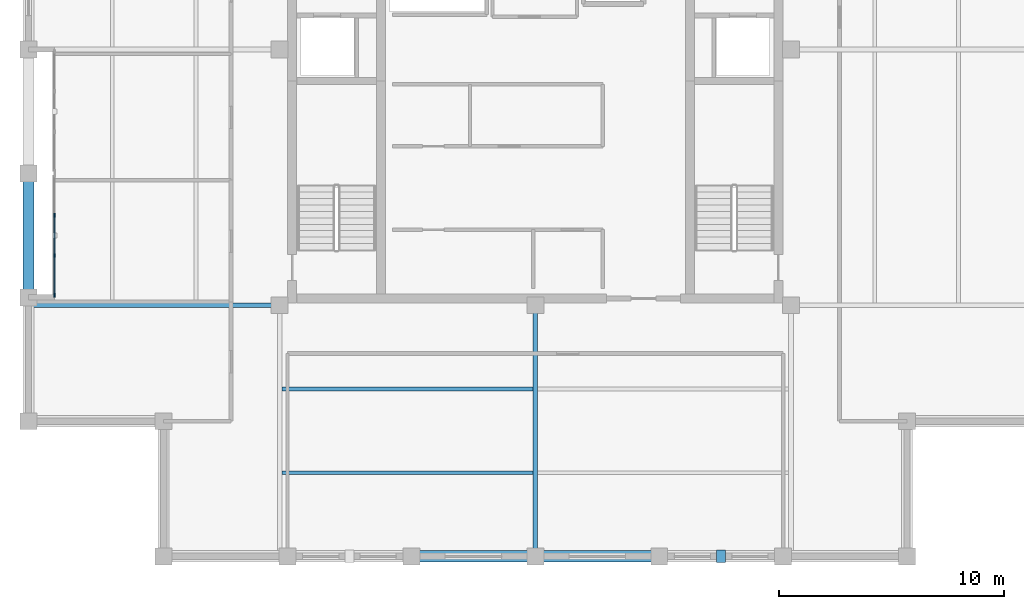
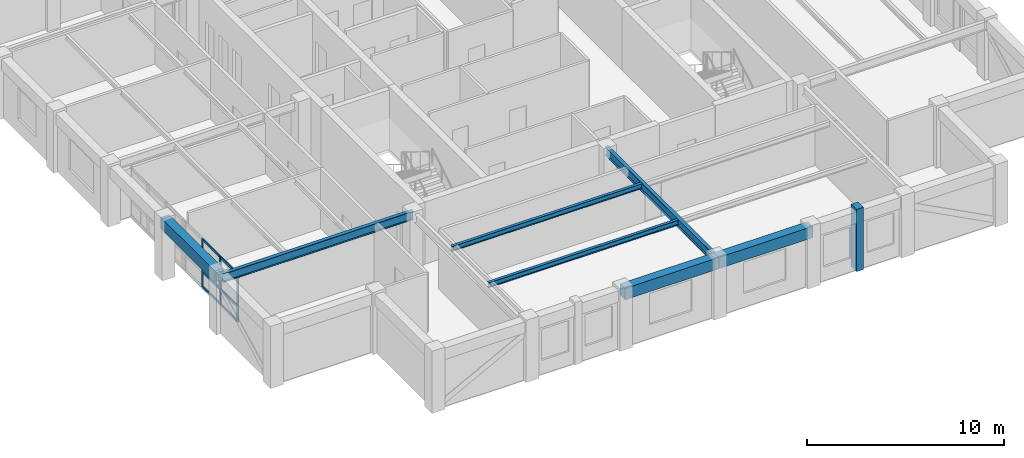
# One storey, part 2 of 10: 10 members, 7 beams, 1 element without a shape of its own.
"""IFC4 building model written with IfcOpenShell, lengths in metres."""

import ifcopenshell
import ifcopenshell.guid

model = None  # the IFC model being written
_history = None  # IfcOwnerHistory: only IFC2X3 demands one
_inside = {}  # id of a spatial element -> (the spatial element, [elements in it])
_under = {}  # id of a project, library or spatial element -> (it, [spatial elements below it])
_declared = {}  # id of a project -> (the project, [libraries it declares])
_typed = {}  # id of a type object -> (the type object, [elements of that type])
_made_of = {}  # id of a material, layer set ... -> (it, [elements and type objects made of it])


def new_model(schema):
    """Start an empty IFC model of exactly this schema.

    Asked for "IFC4X3", IfcOpenShell would pick the latest addendum, in which some entities
    have other attributes; the version numbers below select the first issue.
    IFC2X3 requires an IfcOwnerHistory on every rooted entity: one is made here for all.
    """
    global model, _history
    if schema == "IFC4X3":
        model = ifcopenshell.file(schema_version=(4, 3, 0, 0))
    else:
        model = ifcopenshell.file(schema=schema)
    _inside.clear()
    _under.clear()
    _declared.clear()
    _typed.clear()
    _made_of.clear()
    _history = None
    if model.schema == "IFC2X3":
        org = make("IfcOrganization", Name="unknown")
        user = make(
            "IfcPersonAndOrganization",
            ThePerson=make("IfcPerson", FamilyName="unknown"),
            TheOrganization=org,
        )
        app = make(
            "IfcApplication",
            ApplicationDeveloper=org,
            Version="unknown",
            ApplicationFullName="unknown",
            ApplicationIdentifier="unknown",
        )
        _history = make(
            "IfcOwnerHistory",
            OwningUser=user,
            OwningApplication=app,
            ChangeAction="ADDED",
            CreationDate=0,
        )
    return model


def make(cls, **values):
    """One entity of the class cls with the attributes given. An attribute that is None is left unset."""
    return model.create_entity(
        cls, **{name: value for name, value in values.items() if value is not None}
    )


def rooted(cls, **values):
    """An entity with a GlobalId (a new one), such as an element, a storey or a relation."""
    return make(cls, GlobalId=ifcopenshell.guid.new(), OwnerHistory=_history, **values)


def si_unit(unit_type, name, prefix=None):
    """IfcSIUnit, for example si_unit("LENGTHUNIT", "METRE", prefix="MILLI")."""
    return make("IfcSIUnit", UnitType=unit_type, Prefix=prefix, Name=name)


def assignment(units):
    """IfcUnitAssignment: the units of a project."""
    return None if units is None else make("IfcUnitAssignment", Units=units)


def point(xyz):
    """IfcCartesianPoint."""
    return None if xyz is None else make("IfcCartesianPoint", Coordinates=xyz)


def direction(xyz):
    """IfcDirection."""
    return None if xyz is None else make("IfcDirection", DirectionRatios=xyz)


def frame(location, z_axis=None, x_axis=None):
    """IfcAxis2Placement3D, a coordinate frame: its origin and axes. An axis left out is left unset."""
    return make(
        "IfcAxis2Placement3D",
        Location=point(location),
        Axis=direction(z_axis),
        RefDirection=direction(x_axis),
    )


def frame_2d(location, x_axis=None):
    """IfcAxis2Placement2D, a coordinate frame in the plane: its origin and x axis."""
    return make(
        "IfcAxis2Placement2D", Location=point(location), RefDirection=direction(x_axis)
    )


def origin():
    """The frame at (0, 0, 0) with its axes left unset."""
    return frame((0.0, 0.0, 0.0))


def origin_2d():
    """The frame at (0, 0) in the plane with its x axis left unset."""
    return frame_2d((0.0, 0.0))


def place(relative_to, where):
    """IfcLocalPlacement: puts the frame where relative to a parent placement (None: the world)."""
    return make(
        "IfcLocalPlacement", PlacementRelTo=relative_to, RelativePlacement=where
    )


def context(
    kind, dimensions, precision=None, world=None, true_north=None, identifier=None
):
    """IfcGeometricRepresentationContext, for example the 3D "Model" context."""
    return make(
        "IfcGeometricRepresentationContext",
        ContextIdentifier=identifier,
        ContextType=kind,
        CoordinateSpaceDimension=dimensions,
        Precision=precision,
        WorldCoordinateSystem=world,
        TrueNorth=true_north,
    )


def subcontext(parent, identifier, kind, view, scale=None):
    """IfcGeometricRepresentationSubContext, for example "Body" below "Model"."""
    return make(
        "IfcGeometricRepresentationSubContext",
        ContextIdentifier=identifier,
        ContextType=kind,
        ParentContext=parent,
        TargetScale=scale,
        TargetView=view,
    )


def project(units=None, contexts=None):
    """IfcProject with its units and contexts."""
    return rooted(
        "IfcProject",
        Name="project",
        RepresentationContexts=contexts,
        UnitsInContext=assignment(units),
    )


def spatial(cls, under=None, at=None, **own):
    """A site, building, storey or space (cls), placed at a placement, below another one or the project."""
    s = rooted(cls, ObjectPlacement=at, **own)
    if under is not None:
        _under.setdefault(under.id(), (under, []))[1].append(s)
    return s


def profile(cls, at=None, kind="AREA", **sizes):
    """A parametric profile (cls). Its sizes go by their IFC names, for example OverallWidth=200.0."""
    return make(cls, ProfileType=kind, Position=at, **sizes)


def rectangle(**sizes):
    """IfcRectangleProfileDef."""
    return profile("IfcRectangleProfileDef", **sizes)


def i_section(**sizes):
    """IfcIShapeProfileDef."""
    return profile("IfcIShapeProfileDef", **sizes)


def extrude(swept, where, along, depth):
    """IfcExtrudedAreaSolid: the profile swept, set in the frame where, extruded along a direction by depth."""
    return make(
        "IfcExtrudedAreaSolid",
        SweptArea=swept,
        Position=where,
        ExtrudedDirection=direction(along),
        Depth=depth,
    )


def shape(context_of_items, identifier, shape_type, items):
    """IfcShapeRepresentation: the items that make up one representation, for example the "Body"."""
    return make(
        "IfcShapeRepresentation",
        ContextOfItems=context_of_items,
        RepresentationIdentifier=identifier,
        RepresentationType=shape_type,
        Items=items,
    )


def material(Name=None, Category=None):
    """IfcMaterial."""
    return make("IfcMaterial", Name=Name, Category=Category)


def layer(
    of_material, thickness, ventilated=None, Name=None, Category=None, Priority=None
):
    """IfcMaterialLayer: one layer of a wall or slab, of a material (None: an air gap)."""
    return make(
        "IfcMaterialLayer",
        Material=of_material,
        LayerThickness=thickness,
        IsVentilated=ventilated,
        Name=Name,
        Category=Category,
        Priority=Priority,
    )


def layer_set(layers, Name=None):
    """IfcMaterialLayerSet."""
    return make("IfcMaterialLayerSet", MaterialLayers=layers, LayerSetName=Name)


def material_profile(
    of_material, cross_section, Name=None, Category=None, Priority=None
):
    """IfcMaterialProfile: a cross section and its material."""
    return make(
        "IfcMaterialProfile",
        Name=Name,
        Material=of_material,
        Profile=cross_section,
        Priority=Priority,
        Category=Category,
    )


def profile_set(profiles, Name=None, composite=None):
    """IfcMaterialProfileSet."""
    return make(
        "IfcMaterialProfileSet",
        Name=Name,
        MaterialProfiles=profiles,
        CompositeProfile=composite,
    )


def made_of(thing, what):
    """Note that an element or type object is made of a material, layer set ...; save() writes the relation."""
    if what is not None:
        _made_of.setdefault(what.id(), (what, []))[1].append(thing)
    return thing


def type_object(cls, material=None, **own):
    """A type object (cls), such as IfcWallType, which elements share."""
    return made_of(rooted(cls, **own), material)


def element(
    cls,
    number,
    at=None,
    inside=None,
    cuts=None,
    type_object=None,
    material=None,
    context=None,
    identifier="Body",
    shape_type=None,
    held_by="IfcProductDefinitionShape",
    body=None,
    shapes=None,
    **own,
):
    """One element of the class cls, such as IfcWall. Its Tag is "e" and its number.

    at: its placement. inside: the storey or other place that contains it. cuts: it is an
    opening in that element (IfcRelVoidsElement). A single representation is given by context,
    identifier, shape_type and body (its items); several are given by shapes. held_by: the class
    of the entity that holds the representations. save() writes the other relations.
    """
    e = rooted(cls, Tag="e%d" % number, ObjectPlacement=at, **own)
    if body is not None:
        shapes = [shape(context, identifier, shape_type, body)]
    if shapes is not None:
        e.Representation = make(held_by, Representations=shapes)
    if inside is not None:
        _inside.setdefault(inside.id(), (inside, []))[1].append(e)
    if cuts is not None:
        rooted(
            "IfcRelVoidsElement", RelatingBuildingElement=cuts, RelatedOpeningElement=e
        )
    if type_object is not None:
        _typed.setdefault(type_object.id(), (type_object, []))[1].append(e)
    return made_of(e, material)


def aggregate(whole, parts):
    """IfcRelAggregates: a whole, such as a stair, and the parts it consists of."""
    return rooted("IfcRelAggregates", RelatingObject=whole, RelatedObjects=parts)


def save(model, path):
    """Write the relations noted so far, then the file.

    IfcRelAggregates (storeys below a building ...), IfcRelContainedInSpatialStructure (elements
    in a storey), IfcRelDefinesByType, IfcRelAssociatesMaterial and IfcRelDeclares: one each for
    every whole, place, type object, material and project.
    """
    for whole, parts in _under.values():
        aggregate(whole, parts)
    for where, things in _inside.values():
        rooted(
            "IfcRelContainedInSpatialStructure",
            RelatedElements=things,
            RelatingStructure=where,
        )
    for kind, things in _typed.values():
        rooted("IfcRelDefinesByType", RelatedObjects=things, RelatingType=kind)
    for what, things in _made_of.values():
        rooted("IfcRelAssociatesMaterial", RelatedObjects=things, RelatingMaterial=what)
    for by, libraries in _declared.values():
        rooted("IfcRelDeclares", RelatingContext=by, RelatedDefinitions=libraries)
    model.write(path)


model = new_model("IFC4")

# Units and contexts
model_context = context("Model", 3, precision=1e-05, world=origin(), true_north=direction((0.0, 1.0)))
body_context = subcontext(model_context, "Body", "Model", "MODEL_VIEW")
ifc_project = project(units=[si_unit("LENGTHUNIT", "METRE"), si_unit("AREAUNIT", "SQUARE_METRE"), si_unit("VOLUMEUNIT", "CUBIC_METRE"), si_unit("PLANEANGLEUNIT", "RADIAN"), si_unit("MASSUNIT", "GRAM", prefix="KILO")], contexts=[model_context])

# Site, building, storey
site_placement = place(None, origin())
site = spatial("IfcSite", under=ifc_project, at=site_placement, CompositionType="ELEMENT")
building_placement = place(site_placement, origin())
building = spatial("IfcBuilding", under=site, at=building_placement, Name="Nhamokura Convention Tower", CompositionType="ELEMENT")
storey_placement = place(building_placement, frame((0.0, 0.0, 296.800048828125)))
storey = spatial("IfcBuildingStorey", under=building, at=storey_placement, Name="L73", CompositionType="ELEMENT", Elevation=296.800048828125)

# Member
ifc_material_1 = material(Name="Bronze-pigmented precast concrete C45/55", Category="concrete")
ifc_material_profile_1 = material_profile(ifc_material_1, rectangle(XDim=0.39990234375, YDim=0.550048828125, at=origin_2d()))
ifc_profile_set_1 = profile_set([ifc_material_profile_1], Name="Bronze-pigmented precast concrete C45/55")
member_type_1 = type_object("IfcMemberType", Name="BronzePilaster_550", PredefinedType="USERDEFINED", material=ifc_profile_set_1)
member_1_placement = place(storey_placement, frame((40.25, 9.5, 0.0), z_axis=(0.0, 0.0, 1.0), x_axis=(1.0, 0.0, 0.0)))
element("IfcMember", 1, at=member_1_placement, inside=storey, type_object=member_type_1, Name="L73 Engaged Frame Pilaster SOUTH 4", ObjectType="PILASTER_TRIM", PredefinedType="USERDEFINED", context=body_context, shape_type="SweptSolid", body=[
    extrude(rectangle(XDim=0.39990234375, YDim=0.550048828125, at=origin_2d()), origin(), (0.0, 0.0, 1.0), 3.849853515625),
])

# Curtain wall, members
ifc_material_2 = material(Name="Anodised bronze aluminium AA6063-T6", Category="aluminium")
ifc_layer = layer(ifc_material_2, 0.155029296875)
ifc_layer_set = layer_set([ifc_layer], Name="CWSystem_ScaleSlot_Zone3")
curtain_wall_type = type_object("IfcCurtainWallType", Name="CWSystem_ScaleSlot_Zone3", PredefinedType="NOTDEFINED", material=ifc_layer_set)
curtain_wall_placement = place(storey_placement, origin())
curtain_wall = element("IfcCurtainWall", 2, at=curtain_wall_placement, inside=storey, type_object=curtain_wall_type, Name="L73 Curtain Wall ENV-L73-SLOT-W1", PredefinedType="NOTDEFINED")
ifc_material_3 = material(Name="Anodised bronze aluminium AA6063-T6", Category="aluminium")
ifc_material_profile_2 = material_profile(ifc_material_3, rectangle(XDim=0.06494140625, YDim=0.1650390625, at=origin_2d()))
ifc_profile_set_2 = profile_set([ifc_material_profile_2], Name="Anodised bronze aluminium AA6063-T6")
member_type_2 = type_object("IfcMemberType", Name="CWMullion_3", PredefinedType="MULLION", material=ifc_profile_set_2)
member_2_placement = place(storey_placement, frame((10.64990234375, 21.092529296875, 0.0), z_axis=(0.0, 0.0, 1.0), x_axis=(-1.0, 0.0, 0.0)))
member_2 = element("IfcMember", 3, at=member_2_placement, type_object=member_type_2, Name="CW-05 mullion 1", PredefinedType="MULLION", context=body_context, shape_type="SweptSolid", body=[
    extrude(rectangle(XDim=0.06494140625, YDim=0.1650390625, at=origin_2d()), origin(), (0.0, 0.0, 1.0), 2.98486328125),
])
member_3_placement = place(storey_placement, frame((10.64990234375, 22.853271484375, 0.0), z_axis=(0.0, 0.0, 1.0), x_axis=(-1.0, 0.0, 0.0)))
member_3 = element("IfcMember", 4, at=member_3_placement, type_object=member_type_2, Name="CW-05 mullion 2", PredefinedType="MULLION", context=body_context, shape_type="SweptSolid", body=[
    extrude(rectangle(XDim=0.06494140625, YDim=0.1650390625, at=origin_2d()), origin(), (0.0, 0.0, 1.0), 2.98486328125),
])
member_4_placement = place(storey_placement, frame((10.64990234375, 24.646728515625, 0.0), z_axis=(0.0, 0.0, 1.0), x_axis=(-1.0, 0.0, 0.0)))
member_4 = element("IfcMember", 5, at=member_4_placement, type_object=member_type_2, Name="CW-05 mullion 3", PredefinedType="MULLION", context=body_context, shape_type="SweptSolid", body=[
    extrude(rectangle(XDim=0.06494140625, YDim=0.1650390625, at=origin_2d()), origin(), (0.0, 0.0, 1.0), 2.98486328125),
])
ifc_material_4 = material(Name="Anodised bronze aluminium AA6063-T6", Category="aluminium")
ifc_material_profile_3 = material_profile(ifc_material_4, rectangle(XDim=0.06494140625, YDim=0.139892578125, at=origin_2d()))
ifc_profile_set_3 = profile_set([ifc_material_profile_3], Name="Anodised bronze aluminium AA6063-T6")
member_type_3 = type_object("IfcMemberType", Name="CWTransom_3", PredefinedType="USERDEFINED", material=ifc_profile_set_3)
member_5_placement = place(storey_placement, frame((10.64990234375, 21.125, 0.032470703125), z_axis=(0.0, 1.0, 0.0), x_axis=(-1.0, 0.0, 0.0)))
member_5 = element("IfcMember", 6, at=member_5_placement, type_object=member_type_3, Name="CW-05 transom 1.1", ObjectType="TRANSOM", PredefinedType="USERDEFINED", context=body_context, shape_type="SweptSolid", body=[
    extrude(rectangle(XDim=0.06494140625, YDim=0.139892578125, at=origin_2d()), origin(), (0.0, 0.0, 1.0), 1.69580078125),
])
member_6_placement = place(storey_placement, frame((10.64990234375, 21.125, 0.949951171875), z_axis=(0.0, 1.0, 0.0), x_axis=(-1.0, 0.0, 0.0)))
member_6 = element("IfcMember", 7, at=member_6_placement, type_object=member_type_3, Name="CW-05 transom 1.2", ObjectType="TRANSOM", PredefinedType="USERDEFINED", context=body_context, shape_type="SweptSolid", body=[
    extrude(rectangle(XDim=0.06494140625, YDim=0.139892578125, at=origin_2d()), origin(), (0.0, 0.0, 1.0), 1.69580078125),
])
member_7_placement = place(storey_placement, frame((10.64990234375, 21.125, 2.952392578125), z_axis=(0.0, 1.0, 0.0), x_axis=(-1.0, 0.0, 0.0)))
member_7 = element("IfcMember", 8, at=member_7_placement, type_object=member_type_3, Name="CW-05 transom 1.3", ObjectType="TRANSOM", PredefinedType="USERDEFINED", context=body_context, shape_type="SweptSolid", body=[
    extrude(rectangle(XDim=0.06494140625, YDim=0.139892578125, at=origin_2d()), origin(), (0.0, 0.0, 1.0), 1.69580078125),
])
member_8_placement = place(storey_placement, frame((10.64990234375, 22.8857421875, 0.032470703125), z_axis=(0.0, 1.0, 0.0), x_axis=(-1.0, 0.0, 0.0)))
member_8 = element("IfcMember", 9, at=member_8_placement, type_object=member_type_3, Name="CW-05 transom 2.1", ObjectType="TRANSOM", PredefinedType="USERDEFINED", context=body_context, shape_type="SweptSolid", body=[
    extrude(rectangle(XDim=0.06494140625, YDim=0.139892578125, at=origin_2d()), origin(), (0.0, 0.0, 1.0), 1.728515625),
])
member_9_placement = place(storey_placement, frame((10.64990234375, 22.8857421875, 0.949951171875), z_axis=(0.0, 1.0, 0.0), x_axis=(-1.0, 0.0, 0.0)))
member_9 = element("IfcMember", 10, at=member_9_placement, type_object=member_type_3, Name="CW-05 transom 2.2", ObjectType="TRANSOM", PredefinedType="USERDEFINED", context=body_context, shape_type="SweptSolid", body=[
    extrude(rectangle(XDim=0.06494140625, YDim=0.139892578125, at=origin_2d()), origin(), (0.0, 0.0, 1.0), 1.728515625),
])
member_10_placement = place(storey_placement, frame((10.64990234375, 22.8857421875, 2.952392578125), z_axis=(0.0, 1.0, 0.0), x_axis=(-1.0, 0.0, 0.0)))
member_10 = element("IfcMember", 11, at=member_10_placement, type_object=member_type_3, Name="CW-05 transom 2.3", ObjectType="TRANSOM", PredefinedType="USERDEFINED", context=body_context, shape_type="SweptSolid", body=[
    extrude(rectangle(XDim=0.06494140625, YDim=0.139892578125, at=origin_2d()), origin(), (0.0, 0.0, 1.0), 1.728515625),
])
aggregate(curtain_wall, [member_2, member_3, member_4, member_5, member_6, member_7, member_8, member_9, member_10])

# Beams
ifc_material_5 = material(Name="Steel ASTM A992 Gr 50", Category="steel")
ifc_material_profile_4 = material_profile(ifc_material_5, i_section(OverallWidth=0.166015625, OverallDepth=0.31298828125, WebThickness=0.006591796875, FlangeThickness=0.01123046875, at=origin_2d()))
ifc_profile_set_4 = profile_set([ifc_material_profile_4], Name="Steel ASTM A992 Gr 50")
beam_type_1 = type_object("IfcBeamType", Name="FloorJoist_W310X45", PredefinedType="JOIST", material=ifc_profile_set_4)
for number, where, z_axis, x_axis, name in (
    (12, (20.75244140625, 13.216796875, 3.528564453125), (1.0, 0.0, 0.0), (0.0, 1.0, 0.0), "L73 Composite Floor Joist S1A"),
    (13, (20.75244140625, 16.933349609375, 3.528564453125), (1.0, 0.0, 0.0), (0.0, 1.0, 0.0), "L73 Composite Floor Joist S2A"),
):
    element("IfcBeam", number, at=place(storey_placement, frame(where, z_axis=z_axis, x_axis=x_axis)), inside=storey, type_object=beam_type_1, Name=name, PredefinedType="JOIST", context=body_context, shape_type="SweptSolid", body=[
        extrude(i_section(OverallWidth=0.166015625, OverallDepth=0.31298828125, WebThickness=0.006591796875, FlangeThickness=0.01123046875, at=origin_2d()), origin(), (0.0, 0.0, 1.0), 11.14501953125),
    ])
ifc_material_6 = material(Name="Steel ASTM A992 Gr 50", Category="steel")
ifc_material_profile_5 = material_profile(ifc_material_6, i_section(OverallWidth=0.208984375, OverallDepth=0.532958984375, WebThickness=0.01025390625, FlangeThickness=0.015625, at=origin_2d()))
ifc_profile_set_5 = profile_set([ifc_material_profile_5], Name="Steel ASTM A992 Gr 50")
beam_type_2 = type_object("IfcBeamType", Name="PrimaryGirder_W530X92", PredefinedType="BEAM", material=ifc_profile_set_5)
for number, where, z_axis, x_axis, name in (
    (14, (32.0, 9.5, 3.41845703125), (0.0, 1.0, 0.0), (-1.0, 0.0, 0.0), "L73 Primary Floor Girder PG-S2"),
    (15, (9.5, 20.64990234375, 3.41845703125), (1.0, 0.0, 0.0), (0.0, 1.0, 0.0), "L73 Primary Floor Girder PG-W1"),
):
    element("IfcBeam", number, at=place(storey_placement, frame(where, z_axis=z_axis, x_axis=x_axis)), inside=storey, type_object=beam_type_2, Name=name, PredefinedType="BEAM", context=body_context, shape_type="SweptSolid", body=[
        extrude(i_section(OverallWidth=0.208984375, OverallDepth=0.532958984375, WebThickness=0.01025390625, FlangeThickness=0.015625, at=origin_2d()), origin(), (0.0, 0.0, 1.0), 11.14990234375),
    ])
ifc_material_7 = material(Name="Concrete C50/60", Category="concrete")
ifc_material_profile_6 = material_profile(ifc_material_7, rectangle(XDim=0.5, YDim=0.699951171875, at=origin_2d()))
ifc_profile_set_6 = profile_set([ifc_material_profile_6], Name="Concrete C50/60")
beam_type_3 = type_object("IfcBeamType", Name="TubeSpandrel_700", PredefinedType="SPANDREL", material=ifc_profile_set_6)
for number, where, z_axis, x_axis, name in (
    (16, (26.5, 9.5, 3.3349609375), (1.0, 0.0, 0.0), (0.0, 1.0, 0.0), "L73 Perimeter Spandrel SOUTH 3"),
    (17, (32.0, 9.5, 3.3349609375), (1.0, 0.0, 0.0), (0.0, 1.0, 0.0), "L73 Perimeter Spandrel SOUTH 4"),
    (18, (9.5, 21.0, 3.3349609375), (0.0, 1.0, 0.0), (-1.0, 0.0, 0.0), "L73 Perimeter Spandrel WEST 2"),
):
    element("IfcBeam", number, at=place(storey_placement, frame(where, z_axis=z_axis, x_axis=x_axis)), inside=storey, type_object=beam_type_3, Name=name, PredefinedType="SPANDREL", context=body_context, shape_type="SweptSolid", body=[
        extrude(rectangle(XDim=0.5, YDim=0.699951171875, at=origin_2d()), origin(), (0.0, 0.0, 1.0), 5.5),
    ])

save(model, "model.ifc")
